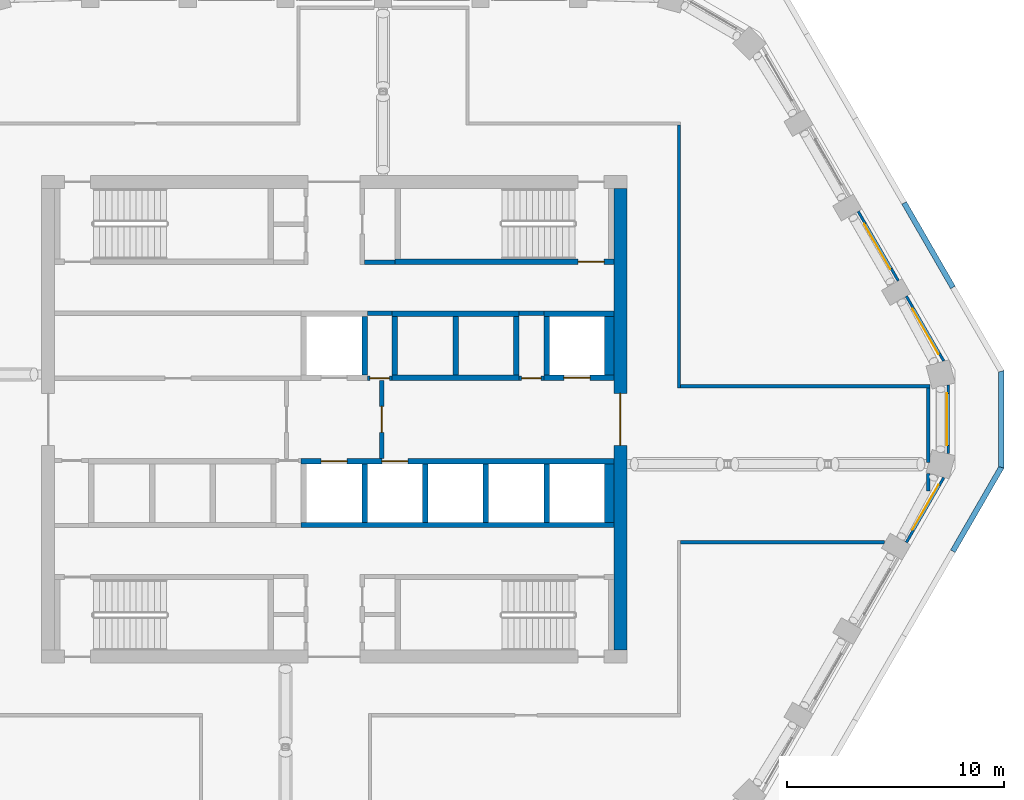
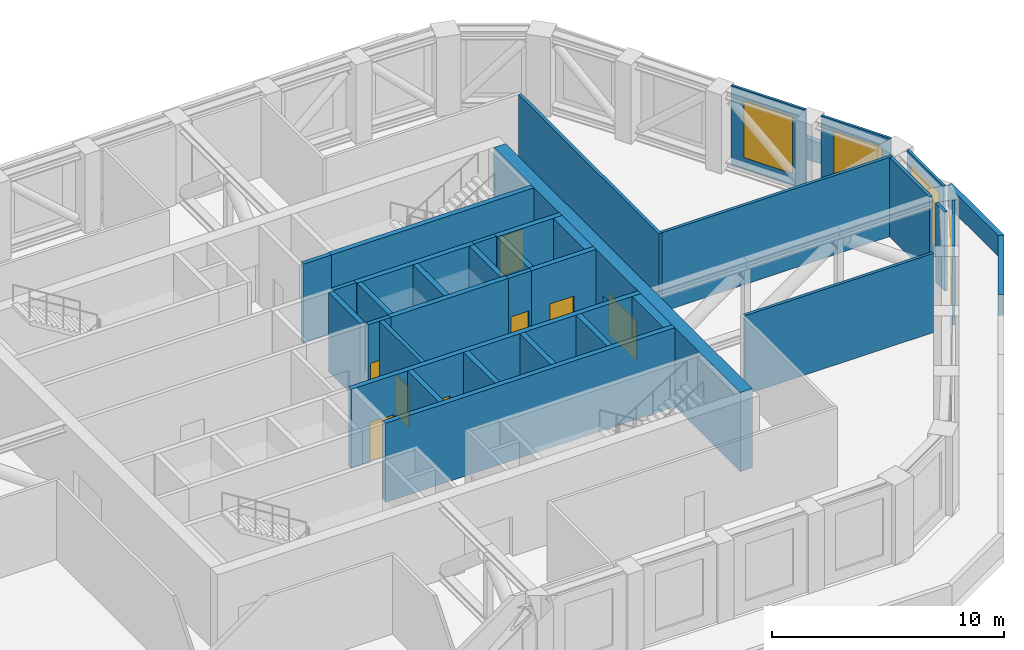
# One storey, part 8 of 15: 37 walls, 8 doors, 4 windows, 12 openings.
"""IFC4 building model written with IfcOpenShell, lengths in metres."""

from ifc_helpers import new_model, si_unit, direction, frame, frame_2d, origin, place, context, subcontext, project, spatial, polyline, rectangle, outline, extrude, material, layer, layer_set, type_object, element, fill, save


model = new_model("IFC4")

# Units and contexts
model_context = context("Model", 3, precision=1e-05, world=origin(), true_north=direction((0.0, 1.0)))
body_context = subcontext(model_context, "Body", "Model", "MODEL_VIEW")
ifc_project = project(units=[si_unit("LENGTHUNIT", "METRE"), si_unit("AREAUNIT", "SQUARE_METRE"), si_unit("VOLUMEUNIT", "CUBIC_METRE"), si_unit("PLANEANGLEUNIT", "RADIAN"), si_unit("MASSUNIT", "GRAM", prefix="KILO")], contexts=[model_context])

# Site, building, storey
site_placement = place(None, origin())
site = spatial("IfcSite", under=ifc_project, at=site_placement, CompositionType="ELEMENT")
building_placement = place(site_placement, origin())
building = spatial("IfcBuilding", under=site, at=building_placement, Name="Dhurran Vertical Campus", CompositionType="ELEMENT")
storey_placement = place(building_placement, frame((0.0, 0.0, 230.699951171875)))
storey = spatial("IfcBuildingStorey", under=building, at=storey_placement, Name="L57 Plant", CompositionType="ELEMENT", Elevation=230.699951171875)

# Wall, opening, window
ifc_material_1 = material(Name="Precast concrete C50/60", Category="concrete")
ifc_layer_1 = layer(ifc_material_1, 0.1201171875)
ifc_layer_set_1 = layer_set([ifc_layer_1], Name="Precast concrete C50/60")
wall_type_1 = type_object("IfcWallType", Name="Precast louvre-bay panel 120", PredefinedType="SOLIDWALL", material=ifc_layer_set_1)
wall_1_placement = place(storey_placement, frame((26.3916015625, -5.681396484375, 0.0), z_axis=(0.0, 0.0, 1.0), x_axis=(0.500020560727, 0.866013532718, 0.0)))
wall_1 = element("IfcWall", 1, at=wall_1_placement, inside=storey, type_object=wall_type_1, Name="EW4 L57.11", PredefinedType="SOLIDWALL", context=body_context, shape_type="SweptSolid", body=[
    extrude(rectangle(XDim=3.449951171875, YDim=0.1201171875, at=frame_2d((1.72509765625, 0.0))), origin(), (0.0, 0.0, 1.0), 4.175048828125),
])
opening_1_placement = place(wall_1_placement, frame((0.6494140625, 0.0, 0.60009765625)))
opening_1 = element("IfcOpeningElement", 2, at=opening_1_placement, cuts=wall_1, Name="Opening WT4", PredefinedType="OPENING", context=body_context, shape_type="SweptSolid", body=[
    extrude(rectangle(XDim=2.39990234375, YDim=3.0, at=frame_2d((1.199951171875, 1.5))), frame((0.0, 0.070068359375, 0.0), z_axis=(0.0, -1.0, 0.0), x_axis=(1.0, 0.0, 0.0)), (0.0, 0.0, 1.0), 0.14013671875),
])
ifc_material_2 = material(Name="Aluminium louvre", Category="aluminium")
window_type = type_object("IfcWindowType", Name="Louvred plant vent 2400 x 3000", PartitioningType="SINGLE_PANEL", PredefinedType="WINDOW", material=ifc_material_2)
window_1_placement = place(opening_1_placement, origin())
window_1 = element("IfcWindow", 3, at=window_1_placement, inside=storey, type_object=window_type, Name="WT4 L57.11", OverallHeight=3.0, OverallWidth=2.39990234375, PartitioningType="SINGLE_PANEL", PredefinedType="WINDOW", context=body_context, shape_type="SweptSolid", body=[
    extrude(rectangle(XDim=2.39990234375, YDim=3.0, at=frame_2d((1.199951171875, 1.5))), frame((0.0, 0.06005859375, 0.0), z_axis=(0.0, -1.0, 0.0), x_axis=(1.0, 0.0, 0.0)), (0.0, 0.0, 1.0), 0.02001953125),
])
fill(opening_1, window_1)

wall_2_placement = place(storey_placement, frame((28.318603515625, -1.576416015625, 0.0), z_axis=(0.0, 0.0, 1.0), x_axis=(0.0, 1.0, 0.0)))
wall_2 = element("IfcWall", 4, at=wall_2_placement, inside=storey, type_object=wall_type_1, Name="EW4 L57.12", PredefinedType="SOLIDWALL", context=body_context, shape_type="SweptSolid", body=[
    extrude(rectangle(XDim=3.15283203125, YDim=0.1201171875, at=frame_2d((1.576416015625, 0.0))), origin(), (0.0, 0.0, 1.0), 4.175048828125),
])
opening_2_placement = place(wall_2_placement, frame((0.376220703125, 0.0, 0.60009765625)))
opening_2 = element("IfcOpeningElement", 5, at=opening_2_placement, cuts=wall_2, Name="Opening WT4", PredefinedType="OPENING", context=body_context, shape_type="SweptSolid", body=[
    extrude(rectangle(XDim=2.39990234375, YDim=3.0, at=frame_2d((1.199951171875, 1.5))), frame((0.0, 0.070068359375, 0.0), z_axis=(0.0, -1.0, 0.0), x_axis=(1.0, 0.0, 0.0)), (0.0, 0.0, 1.0), 0.14013671875),
])
window_2_placement = place(opening_2_placement, origin())
window_2 = element("IfcWindow", 6, at=window_2_placement, inside=storey, type_object=window_type, Name="WT4 L57.12", OverallHeight=3.0, OverallWidth=2.39990234375, PartitioningType="SINGLE_PANEL", PredefinedType="WINDOW", context=body_context, shape_type="SweptSolid", body=[
    extrude(rectangle(XDim=2.39990234375, YDim=3.0, at=frame_2d((1.199951171875, 1.5))), frame((0.0, 0.06005859375, 0.0), z_axis=(0.0, -1.0, 0.0), x_axis=(1.0, 0.0, 0.0)), (0.0, 0.0, 1.0), 0.02001953125),
])
fill(opening_2, window_2)

wall_3_placement = place(storey_placement, frame((28.11669921875, 2.693603515625, 0.0), z_axis=(0.0, 0.0, 1.0), x_axis=(-0.500020560727, 0.866013532718, 0.0)))
wall_3 = element("IfcWall", 7, at=wall_3_placement, inside=storey, type_object=wall_type_1, Name="EW4 L57.13", PredefinedType="SOLIDWALL", context=body_context, shape_type="SweptSolid", body=[
    extrude(rectangle(XDim=3.449951171875, YDim=0.1201171875, at=frame_2d((1.72509765625, 0.0))), origin(), (0.0, 0.0, 1.0), 4.175048828125),
])
opening_3_placement = place(wall_3_placement, frame((0.400634765625, 0.0, 0.60009765625)))
opening_3 = element("IfcOpeningElement", 8, at=opening_3_placement, cuts=wall_3, Name="Opening WT4", PredefinedType="OPENING", context=body_context, shape_type="SweptSolid", body=[
    extrude(rectangle(XDim=2.39990234375, YDim=3.0, at=frame_2d((1.199951171875, 1.5))), frame((0.0, 0.070068359375, 0.0), z_axis=(0.0, -1.0, 0.0), x_axis=(1.0, 0.0, 0.0)), (0.0, 0.0, 1.0), 0.14013671875),
])
window_3_placement = place(opening_3_placement, origin())
window_3 = element("IfcWindow", 9, at=window_3_placement, inside=storey, type_object=window_type, Name="WT4 L57.13", OverallHeight=3.0, OverallWidth=2.39990234375, PartitioningType="SINGLE_PANEL", PredefinedType="WINDOW", context=body_context, shape_type="SweptSolid", body=[
    extrude(rectangle(XDim=2.39990234375, YDim=3.0, at=frame_2d((1.199951171875, 1.5))), frame((0.0, 0.06005859375, 0.0), z_axis=(0.0, -1.0, 0.0), x_axis=(1.0, 0.0, 0.0)), (0.0, 0.0, 1.0), 0.02001953125),
])
fill(opening_3, window_3)

wall_4_placement = place(storey_placement, frame((26.01953125, 6.3916015625, 0.0), z_axis=(0.0, 0.0, 1.0), x_axis=(-0.500029062817, 0.866008623709, 0.0)))
wall_4 = element("IfcWall", 10, at=wall_4_placement, inside=storey, type_object=wall_type_1, Name="EW4 L57.14", PredefinedType="SOLIDWALL", context=body_context, shape_type="SweptSolid", body=[
    extrude(rectangle(XDim=3.698974609375, YDim=0.1201171875, at=frame_2d((1.849609375, 0.0))), origin(), (0.0, 0.0, 1.0), 4.175048828125),
])
opening_4_placement = place(wall_4_placement, frame((0.6494140625, 0.0, 0.60009765625)))
opening_4 = element("IfcOpeningElement", 11, at=opening_4_placement, cuts=wall_4, Name="Opening WT4", PredefinedType="OPENING", context=body_context, shape_type="SweptSolid", body=[
    extrude(rectangle(XDim=2.39990234375, YDim=3.0, at=frame_2d((1.199951171875, 1.5))), frame((0.0, 0.070068359375, 0.0), z_axis=(0.0, -1.0, 0.0), x_axis=(1.0, 0.0, 0.0)), (0.0, 0.0, 1.0), 0.14013671875),
])
window_4_placement = place(opening_4_placement, origin())
window_4 = element("IfcWindow", 12, at=window_4_placement, inside=storey, type_object=window_type, Name="WT4 L57.14", OverallHeight=3.0, OverallWidth=2.39990234375, PartitioningType="SINGLE_PANEL", PredefinedType="WINDOW", context=body_context, shape_type="SweptSolid", body=[
    extrude(rectangle(XDim=2.39990234375, YDim=3.0, at=frame_2d((1.199951171875, 1.5))), frame((0.0, 0.06005859375, 0.0), z_axis=(0.0, -1.0, 0.0), x_axis=(1.0, 0.0, 0.0)), (0.0, 0.0, 1.0), 0.02001953125),
])
fill(opening_4, window_4)

# Walls
ifc_material_3 = material(Name="Precast concrete C50/60", Category="concrete")
ifc_layer_2 = layer(ifc_material_3, 0.25)
ifc_layer_set_2 = layer_set([ifc_layer_2], Name="Precast concrete C50/60")
wall_type_2 = type_object("IfcWallType", Name="Precast parapet 250", PredefinedType="PARAPET", material=ifc_layer_set_2)
wall_5_placement = place(storey_placement, origin())
element("IfcWall", 13, at=wall_5_placement, inside=storey, type_object=wall_type_2, Name="PW1 L57.12", PredefinedType="PARAPET", context=body_context, shape_type="SweptSolid", body=[
    extrude(outline(polyline([(28.647216796875, -6.147216796875), (30.897216796875, -2.25), (30.647216796875, -2.18310546875), (28.4306640625, -6.022216796875), (28.647216796875, -6.147216796875)])), origin(), (0.0, 0.0, 1.0), 1.10009765625),
])
wall_6_placement = place(storey_placement, origin())
element("IfcWall", 14, at=wall_6_placement, inside=storey, type_object=wall_type_2, Name="PW1 L57.13", PredefinedType="PARAPET", context=body_context, shape_type="SweptSolid", body=[
    extrude(outline(polyline([(30.897216796875, -2.25), (30.897216796875, 2.25), (30.647216796875, 2.18310546875), (30.647216796875, -2.18310546875), (30.897216796875, -2.25)])), origin(), (0.0, 0.0, 1.0), 1.10009765625),
])
wall_7_placement = place(storey_placement, origin())
element("IfcWall", 15, at=wall_7_placement, inside=storey, type_object=wall_type_2, Name="PW1 L57.15", PredefinedType="PARAPET", context=body_context, shape_type="SweptSolid", body=[
    extrude(outline(polyline([(28.647216796875, 6.147216796875), (26.397216796875, 10.044189453125), (26.1806640625, 9.919189453125), (28.4306640625, 6.022216796875), (28.647216796875, 6.147216796875)])), origin(), (0.0, 0.0, 1.0), 1.10009765625),
])

# Wall, opening, door
ifc_material_4 = material(Name="Concrete C50/60", Category="concrete")
ifc_layer_3 = layer(ifc_material_4, 0.60009765625)
ifc_layer_set_3 = layer_set([ifc_layer_3], Name="Concrete C50/60")
wall_type_3 = type_object("IfcWallType", Name="co-CORE-WALL-C2-600", PredefinedType="SHEAR", material=ifc_layer_set_3)
wall_8_placement = place(storey_placement, frame((13.199951171875, -10.64990234375, 0.0), z_axis=(0.0, 0.0, 1.0), x_axis=(0.0, 1.0, 0.0)))
wall_8 = element("IfcWall", 16, at=wall_8_placement, inside=storey, type_object=wall_type_3, Name="Core wall E L57", PredefinedType="SHEAR", context=body_context, shape_type="SweptSolid", body=[
    extrude(rectangle(XDim=21.2998046875, YDim=0.60009765625, at=frame_2d((10.64990234375, 0.0))), origin(), (0.0, 0.0, 1.0), 4.175048828125),
])
opening_5_placement = place(wall_8_placement, frame((9.449951171875, 0.0, 0.0)))
opening_5 = element("IfcOpeningElement", 17, at=opening_5_placement, cuts=wall_8, Name="Opening CL2", PredefinedType="OPENING", context=body_context, shape_type="SweptSolid", body=[
    extrude(rectangle(XDim=2.39990234375, YDim=2.10009765625, at=frame_2d((1.199951171875, 1.050048828125))), frame((0.0, 0.31005859375, 0.0), z_axis=(0.0, -1.0, 0.0), x_axis=(1.0, 0.0, 0.0)), (0.0, 0.0, 1.0), 0.6201171875),
])
ifc_material_5 = material(Name="Fire-rated glazed door set")
door_type_1 = type_object("IfcDoorType", Name="co-D-LOBBY 2400x2100", OperationType="DOUBLE_DOOR_DOUBLE_SWING", PredefinedType="DOOR", material=ifc_material_5)
door_1_placement = place(opening_5_placement, origin())
door_1 = element("IfcDoor", 18, at=door_1_placement, inside=storey, type_object=door_type_1, Name="Lift lobby door E L57", OperationType="DOUBLE_DOOR_DOUBLE_SWING", OverallHeight=2.10009765625, OverallWidth=2.39990234375, PredefinedType="DOOR", context=body_context, shape_type="SweptSolid", body=[
    extrude(rectangle(XDim=2.39990234375, YDim=2.10009765625, at=frame_2d((1.199951171875, 1.050048828125))), frame((0.0, 0.02490234375, 0.0), z_axis=(0.0, -1.0, 0.0), x_axis=(1.0, 0.0, 0.0)), (0.0, 0.0, 1.0), 0.050048828125),
])
fill(opening_5, door_1)

ifc_material_6 = material(Name="Fire-rated masonry blockwork", Category="masonry")
ifc_layer_4 = layer(ifc_material_6, 0.199951171875)
ifc_layer_set_4 = layer_set([ifc_layer_4], Name="Fire-rated masonry blockwork")
wall_type_4 = type_object("IfcWallType", Name="co-FIRE-PARTITION-200", PredefinedType="PARTITIONING", material=ifc_layer_set_4)
wall_9_placement = place(storey_placement, frame((2.199951171875, -1.800048828125, 0.0), z_axis=(0.0, 0.0, 1.0), x_axis=(0.0, 1.0, 0.0)))
wall_9 = element("IfcWall", 19, at=wall_9_placement, inside=storey, type_object=wall_type_4, Name="Firefighting lobby wall E L57", PredefinedType="PARTITIONING", context=body_context, shape_type="SweptSolid", body=[
    extrude(rectangle(XDim=3.60009765625, YDim=0.199951171875, at=frame_2d((1.800048828125, 0.0))), origin(), (0.0, 0.0, 1.0), 4.175048828125),
])
opening_6_placement = place(wall_9_placement, frame((1.199951171875, 0.0, 0.0)))
opening_6 = element("IfcOpeningElement", 20, at=opening_6_placement, cuts=wall_9, Name="Opening FL2", PredefinedType="OPENING", context=body_context, shape_type="SweptSolid", body=[
    extrude(rectangle(XDim=1.199951171875, YDim=2.10009765625, at=frame_2d((0.60009765625, 1.050048828125))), frame((0.0, 0.10986328125, 0.0), z_axis=(0.0, -1.0, 0.0), x_axis=(1.0, 0.0, 0.0)), (0.0, 0.0, 1.0), 0.219970703125),
])
ifc_material_7 = material(Name="Fire-rated steel door set", Category="steel")
door_type_2 = type_object("IfcDoorType", Name="co-D-FFLOBBY 1200x2100", OperationType="SINGLE_SWING_LEFT", PredefinedType="DOOR", material=ifc_material_7)
door_2_placement = place(opening_6_placement, origin())
door_2 = element("IfcDoor", 21, at=door_2_placement, inside=storey, type_object=door_type_2, Name="Firefighting lobby door E L57", OperationType="SINGLE_SWING_LEFT", OverallHeight=2.10009765625, OverallWidth=1.199951171875, PredefinedType="DOOR", context=body_context, shape_type="SweptSolid", body=[
    extrude(rectangle(XDim=1.199951171875, YDim=2.10009765625, at=frame_2d((0.60009765625, 1.050048828125))), frame((0.0, 0.02490234375, 0.0), z_axis=(0.0, -1.0, 0.0), x_axis=(1.0, 0.0, 0.0)), (0.0, 0.0, 1.0), 0.050048828125),
])
fill(opening_6, door_2)

# Wall
wall_10_placement = place(storey_placement, frame((1.39990234375, 7.25, 0.0), z_axis=(0.0, 0.0, 1.0), x_axis=(1.0, 0.0, 0.0)))
element("IfcWall", 22, at=wall_10_placement, inside=storey, type_object=wall_type_4, Name="Core partition sl-NE-S L57", PredefinedType="PARTITIONING", context=body_context, shape_type="SweptSolid", body=[
    extrude(rectangle(XDim=1.400146484375, YDim=0.199951171875, at=frame_2d((0.7001953125, 0.0))), origin(), (0.0, 0.0, 1.0), 4.175048828125),
])

# Wall, opening, door
wall_11_placement = place(storey_placement, frame((1.52490234375, 1.89990234375, 0.0), z_axis=(0.0, 0.0, 1.0), x_axis=(1.0, 0.0, 0.0)))
wall_11 = element("IfcWall", 23, at=wall_11_placement, inside=storey, type_object=wall_type_4, Name="Core partition fr-N1-f L57", PredefinedType="PARTITIONING", context=body_context, shape_type="SweptSolid", body=[
    extrude(rectangle(XDim=1.150146484375, YDim=0.199951171875, at=frame_2d((0.5751953125, 0.0))), origin(), (0.0, 0.0, 1.0), 4.175048828125),
])
opening_7_placement = place(wall_11_placement, frame((0.125, 0.0, 0.0)))
opening_7 = element("IfcOpeningElement", 24, at=opening_7_placement, cuts=wall_11, Name="Opening BR57-C9", PredefinedType="OPENING", context=body_context, shape_type="SweptSolid", body=[
    extrude(rectangle(XDim=0.89990234375, YDim=2.10009765625, at=frame_2d((0.449951171875, 1.050048828125))), frame((0.0, 0.10986328125, 0.0), z_axis=(0.0, -1.0, 0.0), x_axis=(1.0, 0.0, 0.0)), (0.0, 0.0, 1.0), 0.219970703125),
])
ifc_material_8 = material(Name="Fire-rated timber door set", Category="wood")
door_type_3 = type_object("IfcDoorType", Name="co-D-ROOM 900x2100", OperationType="SINGLE_SWING_LEFT", PredefinedType="DOOR", material=ifc_material_8)
door_3_placement = place(opening_7_placement, origin())
door_3 = element("IfcDoor", 25, at=door_3_placement, inside=storey, type_object=door_type_3, Name="Electrical riser door L57", OperationType="SINGLE_SWING_LEFT", OverallHeight=2.10009765625, OverallWidth=0.89990234375, PredefinedType="DOOR", context=body_context, shape_type="SweptSolid", body=[
    extrude(rectangle(XDim=0.89990234375, YDim=2.10009765625, at=frame_2d((0.449951171875, 1.050048828125))), frame((0.0, 0.02490234375, 0.0), z_axis=(0.0, -1.0, 0.0), x_axis=(1.0, 0.0, 0.0)), (0.0, 0.0, 1.0), 0.050048828125),
])
fill(opening_7, door_3)

# Wall
wall_12_placement = place(storey_placement, frame((1.52490234375, 4.89990234375, 0.0), z_axis=(0.0, 0.0, 1.0), x_axis=(1.0, 0.0, 0.0)))
element("IfcWall", 26, at=wall_12_placement, inside=storey, type_object=wall_type_4, Name="Core partition fr-N1-b L57", PredefinedType="PARTITIONING", context=body_context, shape_type="SweptSolid", body=[
    extrude(rectangle(XDim=1.150146484375, YDim=0.199951171875, at=frame_2d((0.5751953125, 0.0))), origin(), (0.0, 0.0, 1.0), 4.175048828125),
])

# Wall, opening, door
wall_13_placement = place(storey_placement, frame((8.52490234375, 1.89990234375, 0.0), z_axis=(0.0, 0.0, 1.0), x_axis=(1.0, 0.0, 0.0)))
wall_13 = element("IfcWall", 27, at=wall_13_placement, inside=storey, type_object=wall_type_4, Name="Core partition fr-N2-f L57", PredefinedType="PARTITIONING", context=body_context, shape_type="SweptSolid", body=[
    extrude(rectangle(XDim=1.150146484375, YDim=0.199951171875, at=frame_2d((0.5751953125, 0.0))), origin(), (0.0, 0.0, 1.0), 4.175048828125),
])
opening_8_placement = place(wall_13_placement, frame((0.125, 0.0, 0.0)))
opening_8 = element("IfcOpeningElement", 28, at=opening_8_placement, cuts=wall_13, Name="Opening BR57-C10", PredefinedType="OPENING", context=body_context, shape_type="SweptSolid", body=[
    extrude(rectangle(XDim=0.89990234375, YDim=2.10009765625, at=frame_2d((0.449951171875, 1.050048828125))), frame((0.0, 0.10986328125, 0.0), z_axis=(0.0, -1.0, 0.0), x_axis=(1.0, 0.0, 0.0)), (0.0, 0.0, 1.0), 0.219970703125),
])
door_4_placement = place(opening_8_placement, origin())
door_4 = element("IfcDoor", 29, at=door_4_placement, inside=storey, type_object=door_type_3, Name="Cleaner's store door L57", OperationType="SINGLE_SWING_LEFT", OverallHeight=2.10009765625, OverallWidth=0.89990234375, PredefinedType="DOOR", context=body_context, shape_type="SweptSolid", body=[
    extrude(rectangle(XDim=0.89990234375, YDim=2.10009765625, at=frame_2d((0.449951171875, 1.050048828125))), frame((0.0, 0.02490234375, 0.0), z_axis=(0.0, -1.0, 0.0), x_axis=(1.0, 0.0, 0.0)), (0.0, 0.0, 1.0), 0.050048828125),
])
fill(opening_8, door_4)

# Walls
wall_14_placement = place(storey_placement, frame((8.52490234375, 4.89990234375, 0.0), z_axis=(0.0, 0.0, 1.0), x_axis=(1.0, 0.0, 0.0)))
element("IfcWall", 30, at=wall_14_placement, inside=storey, type_object=wall_type_4, Name="Core partition fr-N2-b L57", PredefinedType="PARTITIONING", context=body_context, shape_type="SweptSolid", body=[
    extrude(rectangle(XDim=1.150146484375, YDim=0.199951171875, at=frame_2d((0.5751953125, 0.0))), origin(), (0.0, 0.0, 1.0), 4.175048828125),
])
ifc_material_9 = material(Name="Concrete C50/60", Category="concrete")
ifc_layer_5 = layer(ifc_material_9, 0.25)
ifc_layer_set_5 = layer_set([ifc_layer_5], Name="Concrete C50/60")
wall_type_5 = type_object("IfcWallType", Name="co-SHAFT-FRONT-250", PredefinedType="SHEAR", material=ifc_layer_set_5)
wall_15_placement = place(storey_placement, frame((2.675048828125, 1.925048828125, 0.0), z_axis=(0.0, 0.0, 1.0), x_axis=(1.0, 0.0, 0.0)))
element("IfcWall", 31, at=wall_15_placement, inside=storey, type_object=wall_type_5, Name="Lift landing wall N L57", PredefinedType="SHEAR", context=body_context, shape_type="SweptSolid", body=[
    extrude(rectangle(XDim=5.849853515625, YDim=0.25, at=frame_2d((2.9248046875, 0.0))), origin(), (0.0, 0.0, 1.0), 4.175048828125),
])

# Wall, opening, door
wall_16_placement = place(storey_placement, frame((9.675048828125, 1.925048828125, 0.0), z_axis=(0.0, 0.0, 1.0), x_axis=(1.0, 0.0, 0.0)))
wall_16 = element("IfcWall", 32, at=wall_16_placement, inside=storey, type_object=wall_type_5, Name="Lift landing wall N L57", PredefinedType="SHEAR", context=body_context, shape_type="SweptSolid", body=[
    extrude(rectangle(XDim=3.224853515625, YDim=0.25, at=frame_2d((1.6123046875, 0.0))), origin(), (0.0, 0.0, 1.0), 4.175048828125),
])
opening_9_placement = place(wall_16_placement, frame((0.925048828125, 0.0, 0.0)))
opening_9 = element("IfcOpeningElement", 33, at=opening_9_placement, cuts=wall_16, Name="Opening LD", PredefinedType="OPENING", context=body_context, shape_type="SweptSolid", body=[
    extrude(rectangle(XDim=1.199951171875, YDim=2.10009765625, at=frame_2d((0.60009765625, 1.050048828125))), frame((0.0, 0.135009765625, 0.0), z_axis=(0.0, -1.0, 0.0), x_axis=(1.0, 0.0, 0.0)), (0.0, 0.0, 1.0), 0.27001953125),
])
ifc_material_10 = material(Name="Stainless steel landing door", Category="steel")
door_type_4 = type_object("IfcDoorType", Name="co-D-LANDING 1200x2100", OperationType="DOUBLE_DOOR_SLIDING", PredefinedType="DOOR", material=ifc_material_10)
door_5_placement = place(opening_9_placement, origin())
door_5 = element("IfcDoor", 34, at=door_5_placement, inside=storey, type_object=door_type_4, Name="Landing door SV2 L57", OperationType="DOUBLE_DOOR_SLIDING", OverallHeight=2.10009765625, OverallWidth=1.199951171875, PredefinedType="DOOR", context=body_context, shape_type="SweptSolid", body=[
    extrude(rectangle(XDim=1.199951171875, YDim=2.10009765625, at=frame_2d((0.60009765625, 1.050048828125))), frame((0.0, 0.02490234375, 0.0), z_axis=(0.0, -1.0, 0.0), x_axis=(1.0, 0.0, 0.0)), (0.0, 0.0, 1.0), 0.050048828125),
])
fill(opening_9, door_5)

# Wall, openings, doors
wall_17_placement = place(storey_placement, frame((-1.52490234375, -1.925048828125, 0.0), z_axis=(0.0, 0.0, 1.0), x_axis=(1.0, 0.0, 0.0)))
wall_17 = element("IfcWall", 35, at=wall_17_placement, inside=storey, type_object=wall_type_5, Name="Lift landing wall S L57", PredefinedType="SHEAR", context=body_context, shape_type="SweptSolid", body=[
    extrude(rectangle(XDim=14.4248046875, YDim=0.25, at=frame_2d((7.21240234375, 0.0))), origin(), (0.0, 0.0, 1.0), 4.175048828125),
])
opening_10_placement = place(wall_17_placement, frame((0.925048828125, 0.0, 0.0)))
opening_10 = element("IfcOpeningElement", 36, at=opening_10_placement, cuts=wall_17, Name="Opening LD", PredefinedType="OPENING", context=body_context, shape_type="SweptSolid", body=[
    extrude(rectangle(XDim=1.199951171875, YDim=2.10009765625, at=frame_2d((0.60009765625, 1.050048828125))), frame((0.0, 0.135009765625, 0.0), z_axis=(0.0, -1.0, 0.0), x_axis=(1.0, 0.0, 0.0)), (0.0, 0.0, 1.0), 0.27001953125),
])
opening_11_placement = place(wall_17_placement, frame((3.72509765625, 0.0, 0.0)))
opening_11 = element("IfcOpeningElement", 37, at=opening_11_placement, cuts=wall_17, Name="Opening LD", PredefinedType="OPENING", context=body_context, shape_type="SweptSolid", body=[
    extrude(rectangle(XDim=1.199951171875, YDim=2.10009765625, at=frame_2d((0.60009765625, 1.050048828125))), frame((0.0, 0.135009765625, 0.0), z_axis=(0.0, -1.0, 0.0), x_axis=(1.0, 0.0, 0.0)), (0.0, 0.0, 1.0), 0.27001953125),
])
door_6_placement = place(opening_10_placement, origin())
door_6 = element("IfcDoor", 38, at=door_6_placement, inside=storey, type_object=door_type_4, Name="Landing door FF2 L57", OperationType="DOUBLE_DOOR_SLIDING", OverallHeight=2.10009765625, OverallWidth=1.199951171875, PredefinedType="DOOR", context=body_context, shape_type="SweptSolid", body=[
    extrude(rectangle(XDim=1.199951171875, YDim=2.10009765625, at=frame_2d((0.60009765625, 1.050048828125))), frame((0.0, 0.02490234375, 0.0), z_axis=(0.0, -1.0, 0.0), x_axis=(1.0, 0.0, 0.0)), (0.0, 0.0, 1.0), 0.050048828125),
])
fill(opening_10, door_6)
door_7_placement = place(opening_11_placement, origin())
door_7 = element("IfcDoor", 39, at=door_7_placement, inside=storey, type_object=door_type_4, Name="Landing door SV1 L57", OperationType="DOUBLE_DOOR_SLIDING", OverallHeight=2.10009765625, OverallWidth=1.199951171875, PredefinedType="DOOR", context=body_context, shape_type="SweptSolid", body=[
    extrude(rectangle(XDim=1.199951171875, YDim=2.10009765625, at=frame_2d((0.60009765625, 1.050048828125))), frame((0.0, 0.02490234375, 0.0), z_axis=(0.0, -1.0, 0.0), x_axis=(1.0, 0.0, 0.0)), (0.0, 0.0, 1.0), 0.050048828125),
])
fill(opening_11, door_7)

# Walls
ifc_material_11 = material(Name="Concrete C50/60", Category="concrete")
ifc_layer_6 = layer(ifc_material_11, 0.25)
ifc_layer_set_6 = layer_set([ifc_layer_6], Name="Concrete C50/60")
wall_type_6 = type_object("IfcWallType", Name="co-SHAFT-MASS-250", PredefinedType="SHEAR", material=ifc_layer_set_6)
wall_18_placement = place(storey_placement, origin())
element("IfcWall", 40, at=wall_18_placement, inside=storey, type_object=wall_type_6, Name="Lift shaft wall N L57 2", PredefinedType="SHEAR", context=body_context, shape_type="SweptSolid", body=[
    extrude(outline(polyline([(2.675048828125, 4.75), (8.52490234375, 4.75), (8.52490234375, 5.0), (2.675048828125, 5.0), (2.675048828125, 4.75)])), origin(), (0.0, 0.0, 1.0), 4.175048828125),
])
wall_19_placement = place(storey_placement, origin())
element("IfcWall", 41, at=wall_19_placement, inside=storey, type_object=wall_type_6, Name="Lift shaft wall N L57 3", PredefinedType="SHEAR", context=body_context, shape_type="SweptSolid", body=[
    extrude(outline(polyline([(9.675048828125, 4.75), (12.89990234375, 4.75), (12.89990234375, 5.0), (9.675048828125, 5.0), (9.675048828125, 4.75)])), origin(), (0.0, 0.0, 1.0), 4.175048828125),
])
wall_20_placement = place(storey_placement, origin())
element("IfcWall", 42, at=wall_20_placement, inside=storey, type_object=wall_type_6, Name="Lift shaft wall N L57 5", PredefinedType="SHEAR", context=body_context, shape_type="SweptSolid", body=[
    extrude(outline(polyline([(1.27490234375, 2.050048828125), (1.52490234375, 2.050048828125), (1.52490234375, 4.75), (1.27490234375, 4.75), (1.27490234375, 2.050048828125)])), origin(), (0.0, 0.0, 1.0), 4.175048828125),
])
wall_21_placement = place(storey_placement, origin())
element("IfcWall", 43, at=wall_21_placement, inside=storey, type_object=wall_type_6, Name="Lift shaft wall N L57 6", PredefinedType="SHEAR", context=body_context, shape_type="SweptSolid", body=[
    extrude(outline(polyline([(2.675048828125, 2.050048828125), (2.925048828125, 2.050048828125), (2.925048828125, 4.75), (2.675048828125, 4.75), (2.675048828125, 2.050048828125)])), origin(), (0.0, 0.0, 1.0), 4.175048828125),
])
wall_22_placement = place(storey_placement, origin())
element("IfcWall", 44, at=wall_22_placement, inside=storey, type_object=wall_type_6, Name="Lift shaft wall N L57 7", PredefinedType="SHEAR", context=body_context, shape_type="SweptSolid", body=[
    extrude(outline(polyline([(5.47509765625, 2.050048828125), (5.72509765625, 2.050048828125), (5.72509765625, 4.75), (5.47509765625, 4.75), (5.47509765625, 2.050048828125)])), origin(), (0.0, 0.0, 1.0), 4.175048828125),
])
wall_23_placement = place(storey_placement, origin())
element("IfcWall", 45, at=wall_23_placement, inside=storey, type_object=wall_type_6, Name="Lift shaft wall N L57 8", PredefinedType="SHEAR", context=body_context, shape_type="SweptSolid", body=[
    extrude(outline(polyline([(8.27490234375, 2.050048828125), (8.52490234375, 2.050048828125), (8.52490234375, 4.75), (8.27490234375, 4.75), (8.27490234375, 2.050048828125)])), origin(), (0.0, 0.0, 1.0), 4.175048828125),
])
wall_24_placement = place(storey_placement, origin())
element("IfcWall", 46, at=wall_24_placement, inside=storey, type_object=wall_type_6, Name="Lift shaft wall N L57 9", PredefinedType="SHEAR", context=body_context, shape_type="SweptSolid", body=[
    extrude(outline(polyline([(9.675048828125, 2.050048828125), (9.925048828125, 2.050048828125), (9.925048828125, 4.75), (9.675048828125, 4.75), (9.675048828125, 2.050048828125)])), origin(), (0.0, 0.0, 1.0), 4.175048828125),
])
wall_25_placement = place(storey_placement, origin())
element("IfcWall", 47, at=wall_25_placement, inside=storey, type_object=wall_type_6, Name="Lift shaft wall N L57 10", PredefinedType="SHEAR", context=body_context, shape_type="SweptSolid", body=[
    extrude(outline(polyline([(12.47509765625, 2.050048828125), (12.89990234375, 2.050048828125), (12.89990234375, 4.75), (12.47509765625, 4.75), (12.47509765625, 2.050048828125)])), origin(), (0.0, 0.0, 1.0), 4.175048828125),
])
wall_26_placement = place(storey_placement, origin())
element("IfcWall", 48, at=wall_26_placement, inside=storey, type_object=wall_type_6, Name="Lift shaft wall S L57 2", PredefinedType="SHEAR", context=body_context, shape_type="SweptSolid", body=[
    extrude(outline(polyline([(-1.52490234375, -5.0), (12.89990234375, -5.0), (12.89990234375, -4.75), (-1.52490234375, -4.75), (-1.52490234375, -5.0)])), origin(), (0.0, 0.0, 1.0), 4.175048828125),
])
wall_27_placement = place(storey_placement, origin())
element("IfcWall", 49, at=wall_27_placement, inside=storey, type_object=wall_type_6, Name="Lift shaft wall S L57 8", PredefinedType="SHEAR", context=body_context, shape_type="SweptSolid", body=[
    extrude(outline(polyline([(1.27490234375, -4.75), (1.52490234375, -4.75), (1.52490234375, -2.050048828125), (1.27490234375, -2.050048828125), (1.27490234375, -4.75)])), origin(), (0.0, 0.0, 1.0), 4.175048828125),
])
wall_28_placement = place(storey_placement, origin())
element("IfcWall", 50, at=wall_28_placement, inside=storey, type_object=wall_type_6, Name="Lift shaft wall S L57 9", PredefinedType="SHEAR", context=body_context, shape_type="SweptSolid", body=[
    extrude(outline(polyline([(4.074951171875, -4.75), (4.324951171875, -4.75), (4.324951171875, -2.050048828125), (4.074951171875, -2.050048828125), (4.074951171875, -4.75)])), origin(), (0.0, 0.0, 1.0), 4.175048828125),
])
wall_29_placement = place(storey_placement, origin())
element("IfcWall", 51, at=wall_29_placement, inside=storey, type_object=wall_type_6, Name="Lift shaft wall S L57 10", PredefinedType="SHEAR", context=body_context, shape_type="SweptSolid", body=[
    extrude(outline(polyline([(6.875, -4.75), (7.125, -4.75), (7.125, -2.050048828125), (6.875, -2.050048828125), (6.875, -4.75)])), origin(), (0.0, 0.0, 1.0), 4.175048828125),
])
wall_30_placement = place(storey_placement, origin())
element("IfcWall", 52, at=wall_30_placement, inside=storey, type_object=wall_type_6, Name="Lift shaft wall S L57 11", PredefinedType="SHEAR", context=body_context, shape_type="SweptSolid", body=[
    extrude(outline(polyline([(9.675048828125, -4.75), (9.925048828125, -4.75), (9.925048828125, -2.050048828125), (9.675048828125, -2.050048828125), (9.675048828125, -4.75)])), origin(), (0.0, 0.0, 1.0), 4.175048828125),
])
wall_31_placement = place(storey_placement, origin())
element("IfcWall", 53, at=wall_31_placement, inside=storey, type_object=wall_type_6, Name="Lift shaft wall S L57 12", PredefinedType="SHEAR", context=body_context, shape_type="SweptSolid", body=[
    extrude(outline(polyline([(12.47509765625, -4.75), (12.89990234375, -4.75), (12.89990234375, -2.050048828125), (12.47509765625, -2.050048828125), (12.47509765625, -4.75)])), origin(), (0.0, 0.0, 1.0), 4.175048828125),
])

# Wall, opening, door
ifc_material_12 = material(Name="Concrete C40/50", Category="concrete")
ifc_layer_7 = layer(ifc_material_12, 0.25)
ifc_layer_set_7 = layer_set([ifc_layer_7], Name="Concrete C40/50")
wall_type_7 = type_object("IfcWallType", Name="co-STAIR-WALL-250", PredefinedType="SHEAR", material=ifc_layer_set_7)
wall_32_placement = place(storey_placement, frame((2.800048828125, 7.27490234375, 0.0), z_axis=(0.0, 0.0, 1.0), x_axis=(1.0, 0.0, 0.0)))
wall_32 = element("IfcWall", 54, at=wall_32_placement, inside=storey, type_object=wall_type_7, Name="Stair ST2 enclosure wall L57", PredefinedType="SHEAR", context=body_context, shape_type="SweptSolid", body=[
    extrude(rectangle(XDim=10.099853515625, YDim=0.25, at=frame_2d((5.0498046875, 0.0))), origin(), (0.0, 0.0, 1.0), 4.175048828125),
])
opening_12_placement = place(wall_32_placement, frame((8.449951171875, 0.0, 0.0)))
opening_12 = element("IfcOpeningElement", 55, at=opening_12_placement, cuts=wall_32, Name="Opening SD2", PredefinedType="OPENING", context=body_context, shape_type="SweptSolid", body=[
    extrude(rectangle(XDim=1.199951171875, YDim=2.10009765625, at=frame_2d((0.60009765625, 1.050048828125))), frame((0.0, 0.135009765625, 0.0), z_axis=(0.0, -1.0, 0.0), x_axis=(1.0, 0.0, 0.0)), (0.0, 0.0, 1.0), 0.27001953125),
])
ifc_material_13 = material(Name="Fire-rated steel door set", Category="steel")
door_type_5 = type_object("IfcDoorType", Name="co-D-STAIR 1200x2100", OperationType="SINGLE_SWING_LEFT", PredefinedType="DOOR", material=ifc_material_13)
door_8_placement = place(opening_12_placement, origin())
door_8 = element("IfcDoor", 56, at=door_8_placement, inside=storey, type_object=door_type_5, Name="Stair ST2 door L57", OperationType="SINGLE_SWING_LEFT", OverallHeight=2.10009765625, OverallWidth=1.199951171875, PredefinedType="DOOR", context=body_context, shape_type="SweptSolid", body=[
    extrude(rectangle(XDim=1.199951171875, YDim=2.10009765625, at=frame_2d((0.60009765625, 1.050048828125))), frame((0.0, 0.02490234375, 0.0), z_axis=(0.0, -1.0, 0.0), x_axis=(1.0, 0.0, 0.0)), (0.0, 0.0, 1.0), 0.050048828125),
])
fill(opening_12, door_8)

# Walls
ifc_material_14 = material(Name="Gypsum board corridor wall on steel studs", Category="steel")
ifc_layer_8 = layer(ifc_material_14, 0.14990234375)
ifc_layer_set_8 = layer_set([ifc_layer_8], Name="Gypsum board corridor wall on steel studs")
wall_type_8 = type_object("IfcWallType", Name="fl-CW-150 corridor wall", PredefinedType="PARTITIONING", material=ifc_layer_set_8)
wall_33_placement = place(storey_placement, frame((25.3798828125, -5.6689453125, 0.0), z_axis=(0.0, 0.0, 1.0), x_axis=(-1.0, 0.0, 0.0)))
element("IfcWall", 57, at=wall_33_placement, inside=storey, type_object=wall_type_8, Name="Partition 57-20", PredefinedType="PARTITIONING", context=body_context, shape_type="SweptSolid", body=[
    extrude(rectangle(XDim=9.40478515625, YDim=0.14990234375, at=frame_2d((4.702392578125, 0.0))), origin(), (0.0, 0.0, 1.0), 4.175048828125),
])
wall_34_placement = place(storey_placement, frame((15.89990234375, 1.455078125, 0.0), z_axis=(0.0, 0.0, 1.0), x_axis=(0.0, 1.0, 0.0)))
element("IfcWall", 58, at=wall_34_placement, inside=storey, type_object=wall_type_8, Name="Partition 57-21", PredefinedType="PARTITIONING", context=body_context, shape_type="SweptSolid", body=[
    extrude(rectangle(XDim=12.119873046875, YDim=0.14990234375, at=frame_2d((6.06005859375, 0.0))), origin(), (0.0, 0.0, 1.0), 4.175048828125),
])
wall_35_placement = place(storey_placement, frame((15.97509765625, 1.530029296875, 0.0), z_axis=(0.0, 0.0, 1.0), x_axis=(1.0, 0.0, 0.0)))
element("IfcWall", 59, at=wall_35_placement, inside=storey, type_object=wall_type_8, Name="Partition 57-22", PredefinedType="PARTITIONING", context=body_context, shape_type="SweptSolid", body=[
    extrude(rectangle(XDim=11.50390625, YDim=0.14990234375, at=frame_2d((5.751953125, 0.0))), origin(), (0.0, 0.0, 1.0), 4.175048828125),
])
wall_36_placement = place(storey_placement, frame((27.404052734375, 1.455078125, 0.0), z_axis=(0.0, 0.0, 1.0), x_axis=(0.0, -1.0, 0.0)))
element("IfcWall", 60, at=wall_36_placement, inside=storey, type_object=wall_type_8, Name="Partition 57-23", PredefinedType="PARTITIONING", context=body_context, shape_type="SweptSolid", body=[
    extrude(rectangle(XDim=3.44775390625, YDim=0.14990234375, at=frame_2d((1.723876953125, 0.0))), origin(), (0.0, 0.0, 1.0), 4.175048828125),
])
wall_37_placement = place(storey_placement, frame((27.404052734375, -2.507080078125, 0.0), z_axis=(0.0, 0.0, 1.0), x_axis=(0.0, -1.0, 0.0)))
element("IfcWall", 61, at=wall_37_placement, inside=storey, type_object=wall_type_8, Name="Partition 57-24", PredefinedType="PARTITIONING", context=body_context, shape_type="SweptSolid", body=[
    extrude(rectangle(XDim=0.7958984375, YDim=0.14990234375, at=frame_2d((0.39794921875, 0.0))), origin(), (0.0, 0.0, 1.0), 4.175048828125),
])

save(model, "model.ifc")
